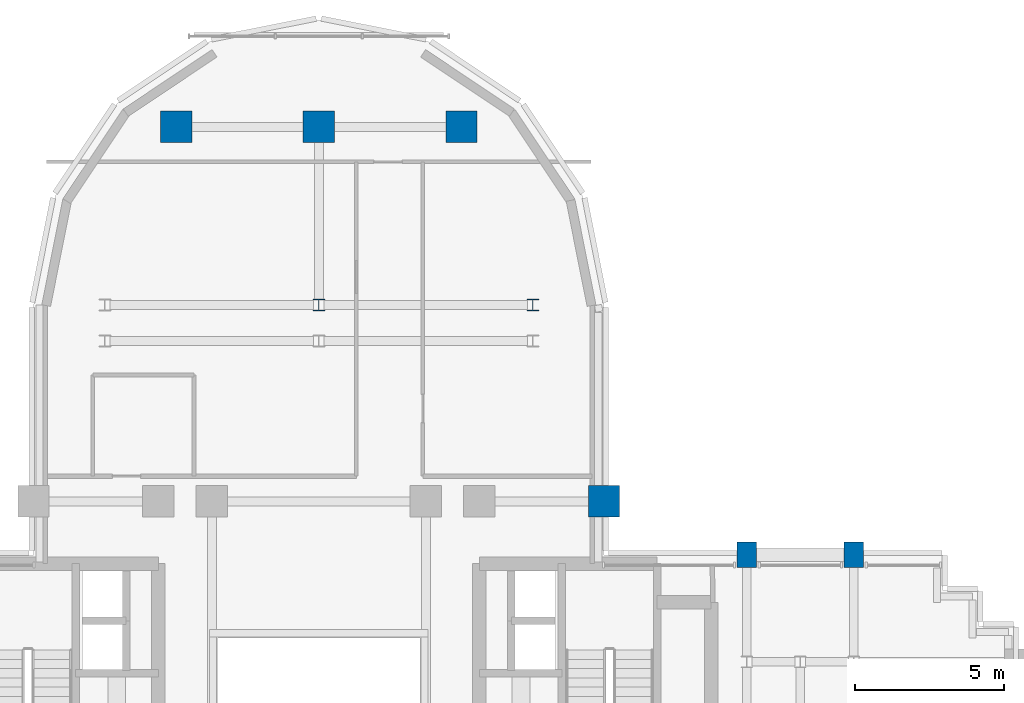
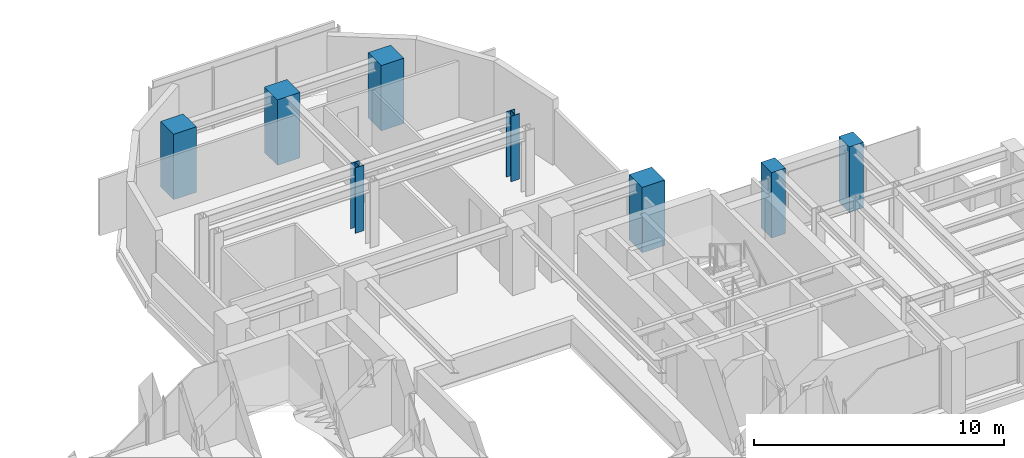
# One storey, part 2 of 13: 8 columns.
"""IFC4 building model written with IfcOpenShell, lengths in metres."""

from ifc_helpers import new_model, si_unit, direction, frame, origin, origin_2d, place, context, subcontext, project, spatial, rectangle, i_section, extrude, source, transform, mapped, material, material_profile, profile_set, type_object, element, save


model = new_model("IFC4")

# Units and contexts
model_context = context("Model", 3, precision=1e-05, world=origin(), true_north=direction((0.0, 1.0)))
body_context = subcontext(model_context, "Body", "Model", "MODEL_VIEW")
ifc_project = project(units=[si_unit("LENGTHUNIT", "METRE"), si_unit("AREAUNIT", "SQUARE_METRE"), si_unit("VOLUMEUNIT", "CUBIC_METRE"), si_unit("PLANEANGLEUNIT", "RADIAN"), si_unit("MASSUNIT", "GRAM", prefix="KILO")], contexts=[model_context])

# Site, building, storey
site_placement = place(None, origin())
site = spatial("IfcSite", under=ifc_project, at=site_placement, CompositionType="ELEMENT")
building_placement = place(site_placement, origin())
building = spatial("IfcBuilding", under=site, at=building_placement, Name="Keilestroom Media Tower", CompositionType="ELEMENT")
storey_placement = place(building_placement, frame((0.0, 0.0, 100.60009765625)))
storey = spatial("IfcBuildingStorey", under=building, at=storey_placement, Name="L26", CompositionType="ELEMENT", Elevation=100.60009765625)

# Columns
ifc_material_1 = material(Name="Precast concrete C40/50", Category="concrete")
ifc_material_profile_1 = material_profile(ifc_material_1, rectangle(XDim=0.64990234375, YDim=0.85009765625, at=origin_2d()), Name="PC 850x650")
ifc_profile_set_1 = profile_set([ifc_material_profile_1], Name="Precast concrete C40/50")
column_type_1 = type_object("IfcColumnType", Name="Structural-Column-PC-850x650", PredefinedType="COLUMN", material=ifc_profile_set_1)
shared_shape_1 = source(origin(), body_context, "Body", "SweptSolid", [
    extrude(rectangle(XDim=0.64990234375, YDim=0.85009765625, at=origin_2d()), origin(), (0.0, 0.0, 1.0), 3.199951171875),
])
for number, where, z_axis, x_axis, name in (
    (1, (14.39990234375, 7.199951171875, 0.0), (0.0, 0.0, 1.0), (1.0, 0.0, 0.0), "L26 Column PC-2 (+14.4,+7.2)"),
    (2, (18.0, 7.199951171875, 0.0), (0.0, 0.0, 1.0), (1.0, 0.0, 0.0), "L26 Column PC-2 (+18.0,+7.2)"),
):
    element("IfcColumn", number, at=place(storey_placement, frame(where, z_axis=z_axis, x_axis=x_axis)), inside=storey, type_object=column_type_1, Name=name, PredefinedType="COLUMN", context=body_context, shape_type="MappedRepresentation", body=[
        mapped(shared_shape_1, transform((0.0, 0.0, 0.0), x_axis=(1.0, 0.0, 0.0), y_axis=(0.0, 1.0, 0.0), z_axis=(0.0, 0.0, 1.0), scale=1.0)),
    ])
ifc_material_2 = material(Name="Steel S355", Category="steel")
ifc_material_profile_2 = material_profile(ifc_material_2, i_section(OverallWidth=0.40087890625, OverallDepth=0.39892578125, WebThickness=0.02001953125, FlangeThickness=0.031982421875, at=origin_2d()), Name="HD 400x314")
ifc_profile_set_2 = profile_set([ifc_material_profile_2], Name="Steel S355")
column_type_2 = type_object("IfcColumnType", Name="Structural-Column-HD-400x314", PredefinedType="COLUMN", material=ifc_profile_set_2)
shared_shape_2 = source(origin(), body_context, "Body", "SweptSolid", [
    extrude(i_section(OverallWidth=0.40087890625, OverallDepth=0.39892578125, WebThickness=0.02001953125, FlangeThickness=0.031982421875, at=origin_2d()), origin(), (0.0, 0.0, 1.0), 3.199951171875),
])
for number, where, z_axis, x_axis, name in (
    (3, (0.0, 15.60009765625, 0.0), (0.0, 0.0, 1.0), (1.0, 0.0, 0.0), "L26 Column SC-3 (+0.0,+15.6)"),
    (4, (7.199951171875, 15.60009765625, 0.0), (0.0, 0.0, 1.0), (1.0, 0.0, 0.0), "L26 Column SC-3 (+7.2,+15.6)"),
):
    element("IfcColumn", number, at=place(storey_placement, frame(where, z_axis=z_axis, x_axis=x_axis)), inside=storey, type_object=column_type_2, Name=name, PredefinedType="COLUMN", context=body_context, shape_type="MappedRepresentation", body=[
        mapped(shared_shape_2, transform((0.0, 0.0, 0.0), x_axis=(1.0, 0.0, 0.0), y_axis=(0.0, 1.0, 0.0), z_axis=(0.0, 0.0, 1.0), scale=1.0)),
    ])
ifc_material_3 = material(Name="Concrete C55/67", Category="concrete")
ifc_material_profile_3 = material_profile(ifc_material_3, rectangle(XDim=1.050048828125, YDim=1.050048828125, at=origin_2d()), Name="RC 1050x1050")
ifc_profile_set_3 = profile_set([ifc_material_profile_3], Name="Concrete C55/67")
column_type_3 = type_object("IfcColumnType", Name="Structural-Column-RC-1050x1050", PredefinedType="COLUMN", material=ifc_profile_set_3)
shared_shape_3 = source(origin(), body_context, "Body", "SweptSolid", [
    extrude(rectangle(XDim=1.050048828125, YDim=1.050048828125, at=origin_2d()), origin(), (0.0, 0.0, 1.0), 3.199951171875),
])
for number, where, z_axis, x_axis, name in (
    (5, (-4.800048828125, 21.60009765625, 0.0), (0.0, 0.0, 1.0), (1.0, 0.0, 0.0), "L26 Column MC-3 (-4.8,+21.6)"),
    (6, (0.0, 21.60009765625, 0.0), (0.0, 0.0, 1.0), (1.0, 0.0, 0.0), "L26 Column MC-3 (+0.0,+21.6)"),
    (7, (4.800048828125, 21.60009765625, 0.0), (0.0, 0.0, 1.0), (1.0, 0.0, 0.0), "L26 Column MC-3 (+4.8,+21.6)"),
    (8, (9.60009765625, 9.0, 0.0), (0.0, 0.0, 1.0), (1.0, 0.0, 0.0), "L26 Column MC-3 (+9.6,+9.0)"),
):
    element("IfcColumn", number, at=place(storey_placement, frame(where, z_axis=z_axis, x_axis=x_axis)), inside=storey, type_object=column_type_3, Name=name, PredefinedType="COLUMN", context=body_context, shape_type="MappedRepresentation", body=[
        mapped(shared_shape_3, transform((0.0, 0.0, 0.0), x_axis=(1.0, 0.0, 0.0), y_axis=(0.0, 1.0, 0.0), z_axis=(0.0, 0.0, 1.0), scale=1.0)),
    ])

save(model, "model.ifc")
